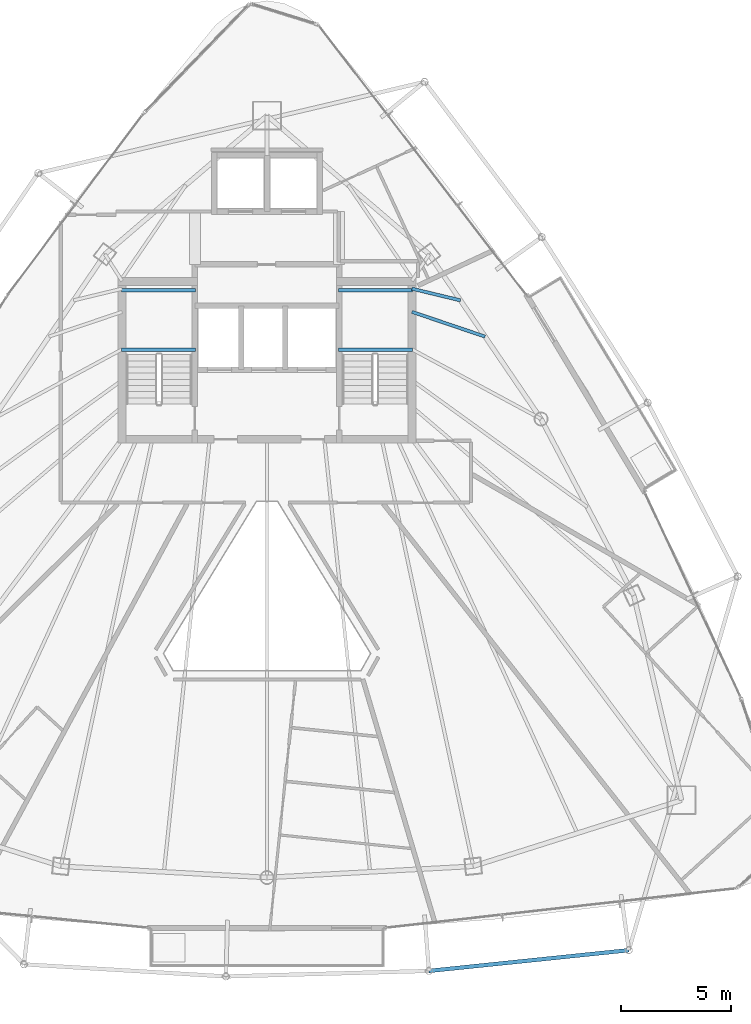
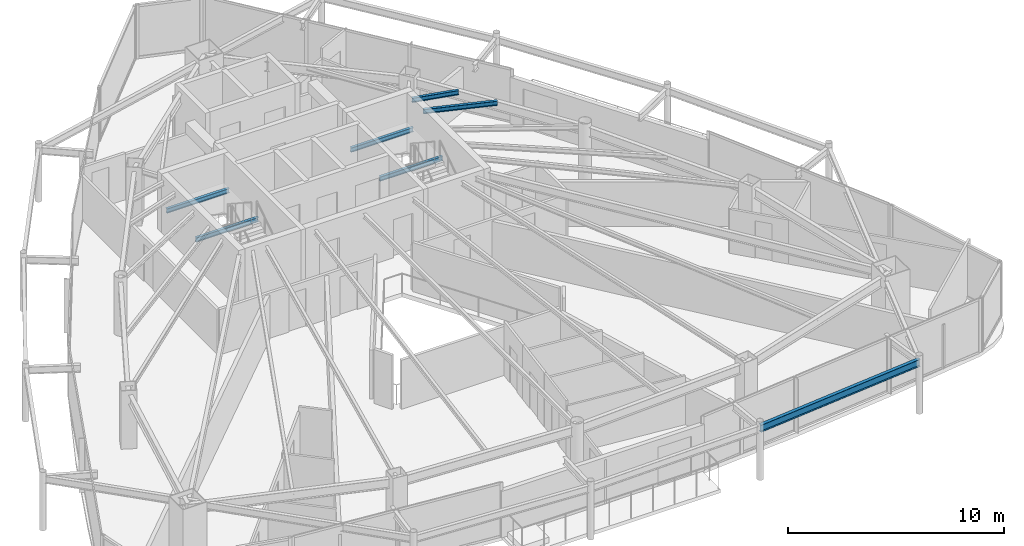
# One storey, part 14 of 33: 7 beams.
"""IFC4 building model written with IfcOpenShell, lengths in metres."""

from ifc_helpers import new_model, si_unit, direction, frame, origin, origin_2d, place, context, subcontext, project, spatial, i_section, extrude, material, material_profile, profile_set, type_object, element, save


model = new_model("IFC4")

# Units and contexts
model_context = context("Model", 3, precision=1e-05, world=origin(), true_north=direction((0.0, 1.0)))
body_context = subcontext(model_context, "Body", "Model", "MODEL_VIEW")
ifc_project = project(units=[si_unit("LENGTHUNIT", "METRE"), si_unit("AREAUNIT", "SQUARE_METRE"), si_unit("VOLUMEUNIT", "CUBIC_METRE"), si_unit("PLANEANGLEUNIT", "RADIAN"), si_unit("MASSUNIT", "GRAM", prefix="KILO")], contexts=[model_context])

# Site, building, storey
site_placement = place(None, origin())
site = spatial("IfcSite", under=ifc_project, at=site_placement, CompositionType="ELEMENT")
building_placement = place(site_placement, origin())
building = spatial("IfcBuilding", under=site, at=building_placement, Name="Orvanel Arch Residences", CompositionType="ELEMENT")
storey_placement = place(building_placement, frame((0.0, 0.0, 196.39990234375)))
storey = spatial("IfcBuildingStorey", under=building, at=storey_placement, Name="L55", CompositionType="ELEMENT", Elevation=196.39990234375)

# Beams
ifc_material = material(Name="Structural steel AS/NZS 3679.1 Grade 300 (300 MPa)", Category="steel")
ifc_material_profile_1 = material_profile(ifc_material, i_section(OverallWidth=0.14599609375, OverallDepth=0.251953125, WebThickness=0.006103515625, FlangeThickness=0.008544921875, at=origin_2d()), Name="250UB31.4")
ifc_profile_set_1 = profile_set([ifc_material_profile_1], Name="Structural steel AS/NZS 3679.1 Grade 300 (300 MPa)")
beam_type_1 = type_object("IfcBeamType", Name="BJ-250UB", PredefinedType="JOIST", material=ifc_profile_set_1)
for number, where, z_axis, x_axis, name in (
    (1, (26.39990234375, 30.780029296875, 1.32421875), (1.0, 0.0, 0.0), (0.0, 1.0, 0.0), "L55 ST-1 Half-Landing Support Beam 1.1"),
    (2, (26.39990234375, 33.47998046875, 1.32421875), (1.0, 0.0, 0.0), (0.0, 1.0, 0.0), "L55 ST-1 Half-Landing Support Beam 1.2"),
    (3, (36.25, 30.780029296875, 1.32421875), (1.0, 0.0, 0.0), (0.0, 1.0, 0.0), "L55 ST-2 Half-Landing Support Beam 1.1"),
    (4, (36.25, 33.47998046875, 1.32421875), (1.0, 0.0, 0.0), (0.0, 1.0, 0.0), "L55 ST-2 Half-Landing Support Beam 1.2"),
):
    element("IfcBeam", number, at=place(storey_placement, frame(where, z_axis=z_axis, x_axis=x_axis)), inside=storey, type_object=beam_type_1, Name=name, PredefinedType="JOIST", context=body_context, shape_type="SweptSolid", body=[
        extrude(i_section(OverallWidth=0.14599609375, OverallDepth=0.251953125, WebThickness=0.006103515625, FlangeThickness=0.008544921875, at=origin_2d()), origin(), (0.0, 0.0, 1.0), 3.35009765625),
    ])
beam_1_placement = place(storey_placement, frame((39.574951171875, 32.5, 2.93408203125), z_axis=(0.947159269453, -0.320763648641, 0.0), x_axis=(0.320763648641, 0.947159269453, 0.0)))
element("IfcBeam", 5, at=beam_1_placement, inside=storey, type_object=beam_type_1, Name="L55 ENE Wing Floor Joist", PredefinedType="JOIST", context=body_context, shape_type="SweptSolid", body=[
    extrude(i_section(OverallWidth=0.14599609375, OverallDepth=0.251953125, WebThickness=0.006103515625, FlangeThickness=0.008544921875, at=origin_2d()), origin(), (0.0, 0.0, 1.0), 3.501220703125),
])
beam_2_placement = place(storey_placement, frame((39.574951171875, 33.550048828125, 2.93408203125), z_axis=(0.972256833016, -0.23391590509, 0.0), x_axis=(0.23391590509, 0.972256833016, 0.0)))
element("IfcBeam", 6, at=beam_2_placement, inside=storey, type_object=beam_type_1, Name="L55 JADD4 Wing Floor Joist", PredefinedType="JOIST", context=body_context, shape_type="SweptSolid", body=[
    extrude(i_section(OverallWidth=0.14599609375, OverallDepth=0.251953125, WebThickness=0.006103515625, FlangeThickness=0.008544921875, at=origin_2d()), origin(), (0.0, 0.0, 1.0), 2.26171875),
])
ifc_material_profile_2 = material_profile(ifc_material, i_section(OverallWidth=0.177978515625, OverallDepth=0.406005859375, WebThickness=0.0078125, FlangeThickness=0.0126953125, at=origin_2d()), Name="410UB59.7")
ifc_profile_set_2 = profile_set([ifc_material_profile_2], Name="Structural steel AS/NZS 3679.1 Grade 300 (300 MPa)")
beam_type_2 = type_object("IfcBeamType", Name="OB-410UB-EXT", PredefinedType="SPANDREL", material=ifc_profile_set_2)
beam_3_placement = place(storey_placement, frame((40.343994140625, 2.60791015625, 2.857177734375), z_axis=(0.99467769965, 0.103035303747, 0.0), x_axis=(-0.103035303747, 0.99467769965, 0.0)))
element("IfcBeam", 7, at=beam_3_placement, inside=storey, type_object=beam_type_2, Name="L55 Outer Perimeter Floor Ring Beam 07", PredefinedType="SPANDREL", context=body_context, shape_type="SweptSolid", body=[
    extrude(i_section(OverallWidth=0.177978515625, OverallDepth=0.406005859375, WebThickness=0.0078125, FlangeThickness=0.0126953125, at=origin_2d()), origin(), (0.0, 0.0, 1.0), 9.115478515625),
])

save(model, "model.ifc")
